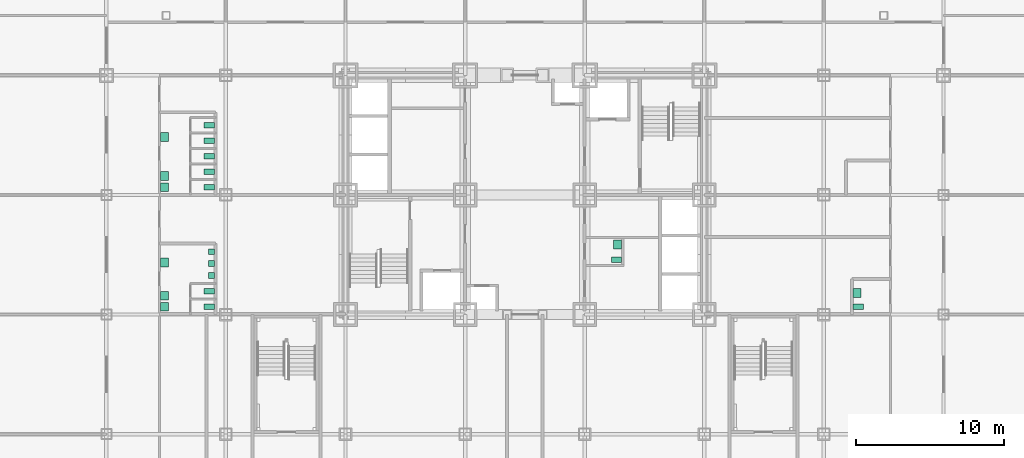
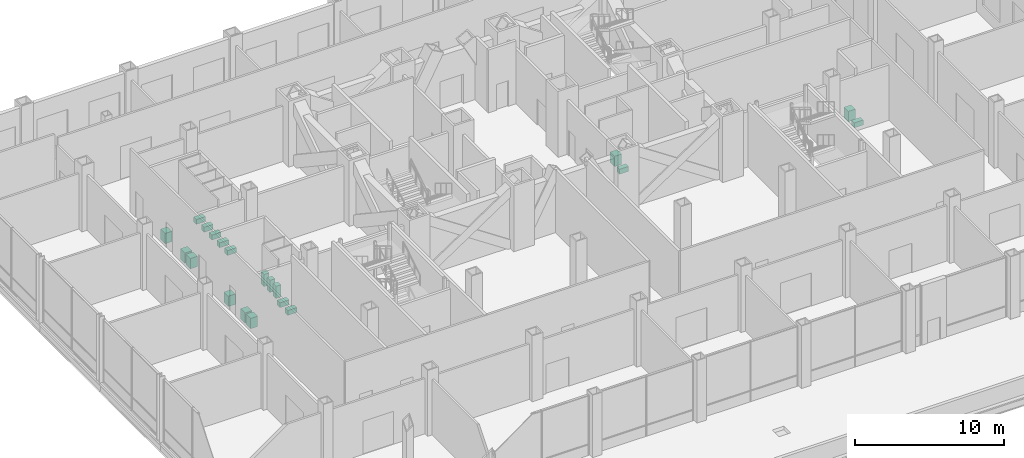
# One storey, part 29 of 29: 20 sanitary terminals.
"""IFC4 building model written with IfcOpenShell, lengths in metres."""

from ifc_helpers import new_model, si_unit, direction, frame, origin, origin_2d, place, context, subcontext, project, spatial, rectangle, extrude, material, element, save


model = new_model("IFC4")

# Units and contexts
model_context = context("Model", 3, precision=1e-05, world=origin(), true_north=direction((0.0, 1.0)))
body_context = subcontext(model_context, "Body", "Model", "MODEL_VIEW")
ifc_project = project(units=[si_unit("LENGTHUNIT", "METRE"), si_unit("AREAUNIT", "SQUARE_METRE"), si_unit("VOLUMEUNIT", "CUBIC_METRE"), si_unit("PLANEANGLEUNIT", "RADIAN"), si_unit("MASSUNIT", "GRAM", prefix="KILO")], contexts=[model_context])

# Site, building, storey
site_placement = place(None, origin())
site = spatial("IfcSite", under=ifc_project, at=site_placement, CompositionType="ELEMENT")
building_placement = place(site_placement, origin())
building = spatial("IfcBuilding", under=site, at=building_placement, Name="Kopane Lantern Tower", CompositionType="ELEMENT")
storey_placement = place(building_placement, frame((0.0, 0.0, 11.39990234375)))
storey = spatial("IfcBuildingStorey", under=building, at=storey_placement, Name="L02", CompositionType="ELEMENT", Elevation=11.39990234375)

# Sanitary terminals
ifc_material = material(Name="Vitreous china")
for number, where, z_axis, x_axis, name in (
    (1, (6.97509765625, 24.824951171875, 0.000244140625), (0.0, 0.0, 1.0), (1.0, 0.0, 0.0), "WC pan L02"),
    (2, (6.97509765625, 25.875, 0.000244140625), (0.0, 0.0, 1.0), (1.0, 0.0, 0.0), "WC pan L02"),
):
    element("IfcSanitaryTerminal", number, at=place(storey_placement, frame(where, z_axis=z_axis, x_axis=x_axis)), inside=storey, material=ifc_material, Name=name, PredefinedType="TOILETPAN", context=body_context, shape_type="SweptSolid", body=[
        extrude(rectangle(XDim=0.699951171875, YDim=0.3798828125, at=origin_2d()), origin(), (0.0, 0.0, 1.0), 0.39990234375),
    ])
for number, where, z_axis, x_axis, name in (
    (3, (7.125, 26.949951171875, 0.0), (0.0, 0.0, 1.0), (1.0, 0.0, 0.0), "Urinal L02"),
    (4, (7.125, 27.75, 0.0), (0.0, 0.0, 1.0), (1.0, 0.0, 0.0), "Urinal L02"),
    (5, (7.125, 28.550048828125, 0.0), (0.0, 0.0, 1.0), (1.0, 0.0, 0.0), "Urinal L02"),
):
    element("IfcSanitaryTerminal", number, at=place(storey_placement, frame(where, z_axis=z_axis, x_axis=x_axis)), inside=storey, material=ifc_material, Name=name, PredefinedType="URINAL", context=body_context, shape_type="SweptSolid", body=[
        extrude(rectangle(XDim=0.39990234375, YDim=0.39990234375, at=origin_2d()), origin(), (0.0, 0.0, 1.0), 1.0),
    ])
for number, where, z_axis, x_axis, name in (
    (6, (3.949951171875, 24.824951171875, 0.0), (0.0, 0.0, 1.0), (1.0, 0.0, 0.0), "Wash basin L02"),
    (7, (3.949951171875, 25.574951171875, 0.0), (0.0, 0.0, 1.0), (1.0, 0.0, 0.0), "Wash basin L02"),
    (8, (3.949951171875, 27.824951171875, 0.0), (0.0, 0.0, 1.0), (1.0, 0.0, 0.0), "Wash basin L02"),
):
    element("IfcSanitaryTerminal", number, at=place(storey_placement, frame(where, z_axis=z_axis, x_axis=x_axis)), inside=storey, material=ifc_material, Name=name, PredefinedType="WASHHANDBASIN", context=body_context, shape_type="SweptSolid", body=[
        extrude(rectangle(XDim=0.550048828125, YDim=0.60009765625, at=origin_2d()), origin(), (0.0, 0.0, 1.0), 0.85009765625),
    ])
for number, where, z_axis, x_axis, name in (
    (9, (6.97509765625, 32.925048828125, 0.000244140625), (0.0, 0.0, 1.0), (1.0, 0.0, 0.0), "WC pan L02"),
    (10, (6.97509765625, 33.97509765625, 0.000244140625), (0.0, 0.0, 1.0), (1.0, 0.0, 0.0), "WC pan L02"),
    (11, (6.97509765625, 35.02490234375, 0.000244140625), (0.0, 0.0, 1.0), (1.0, 0.0, 0.0), "WC pan L02"),
    (12, (6.97509765625, 36.074951171875, 0.000244140625), (0.0, 0.0, 1.0), (1.0, 0.0, 0.0), "WC pan L02"),
    (13, (6.97509765625, 37.125, 0.000244140625), (0.0, 0.0, 1.0), (1.0, 0.0, 0.0), "WC pan L02"),
):
    element("IfcSanitaryTerminal", number, at=place(storey_placement, frame(where, z_axis=z_axis, x_axis=x_axis)), inside=storey, material=ifc_material, Name=name, PredefinedType="TOILETPAN", context=body_context, shape_type="SweptSolid", body=[
        extrude(rectangle(XDim=0.699951171875, YDim=0.3798828125, at=origin_2d()), origin(), (0.0, 0.0, 1.0), 0.39990234375),
    ])
for number, where, z_axis, x_axis, name in (
    (14, (3.949951171875, 32.925048828125, 0.0), (0.0, 0.0, 1.0), (1.0, 0.0, 0.0), "Wash basin L02"),
    (15, (3.949951171875, 33.675048828125, 0.0), (0.0, 0.0, 1.0), (1.0, 0.0, 0.0), "Wash basin L02"),
    (16, (3.949951171875, 36.324951171875, 0.0), (0.0, 0.0, 1.0), (1.0, 0.0, 0.0), "Wash basin L02"),
):
    element("IfcSanitaryTerminal", number, at=place(storey_placement, frame(where, z_axis=z_axis, x_axis=x_axis)), inside=storey, material=ifc_material, Name=name, PredefinedType="WASHHANDBASIN", context=body_context, shape_type="SweptSolid", body=[
        extrude(rectangle(XDim=0.550048828125, YDim=0.60009765625, at=origin_2d()), origin(), (0.0, 0.0, 1.0), 0.85009765625),
    ])
sanitary_terminal_1_placement = place(storey_placement, frame((50.925048828125, 24.824951171875, 0.000244140625), z_axis=(0.0, 0.0, 1.0), x_axis=(1.0, 0.0, 0.0)))
element("IfcSanitaryTerminal", 17, at=sanitary_terminal_1_placement, inside=storey, material=ifc_material, Name="WC pan L02", PredefinedType="TOILETPAN", context=body_context, shape_type="SweptSolid", body=[
    extrude(rectangle(XDim=0.699951171875, YDim=0.3798828125, at=origin_2d()), origin(), (0.0, 0.0, 1.0), 0.39990234375),
])
sanitary_terminal_2_placement = place(storey_placement, frame((50.85009765625, 25.75, 0.0), z_axis=(0.0, 0.0, 1.0), x_axis=(1.0, 0.0, 0.0)))
element("IfcSanitaryTerminal", 18, at=sanitary_terminal_2_placement, inside=storey, material=ifc_material, Name="Wash basin L02", PredefinedType="WASHHANDBASIN", context=body_context, shape_type="SweptSolid", body=[
    extrude(rectangle(XDim=0.550048828125, YDim=0.60009765625, at=origin_2d()), origin(), (0.0, 0.0, 1.0), 0.85009765625),
])
sanitary_terminal_3_placement = place(storey_placement, frame((34.550048828125, 28.0, 0.000244140625), z_axis=(0.0, 0.0, 1.0), x_axis=(1.0, 0.0, 0.0)))
element("IfcSanitaryTerminal", 19, at=sanitary_terminal_3_placement, inside=storey, material=ifc_material, Name="WC pan L02", PredefinedType="TOILETPAN", context=body_context, shape_type="SweptSolid", body=[
    extrude(rectangle(XDim=0.699951171875, YDim=0.3798828125, at=origin_2d()), origin(), (0.0, 0.0, 1.0), 0.39990234375),
])
sanitary_terminal_4_placement = place(storey_placement, frame((34.625, 29.050048828125, 0.0), z_axis=(0.0, 0.0, 1.0), x_axis=(1.0, 0.0, 0.0)))
element("IfcSanitaryTerminal", 20, at=sanitary_terminal_4_placement, inside=storey, material=ifc_material, Name="Wash basin L02", PredefinedType="WASHHANDBASIN", context=body_context, shape_type="SweptSolid", body=[
    extrude(rectangle(XDim=0.550048828125, YDim=0.60009765625, at=origin_2d()), origin(), (0.0, 0.0, 1.0), 0.85009765625),
])

save(model, "model.ifc")
